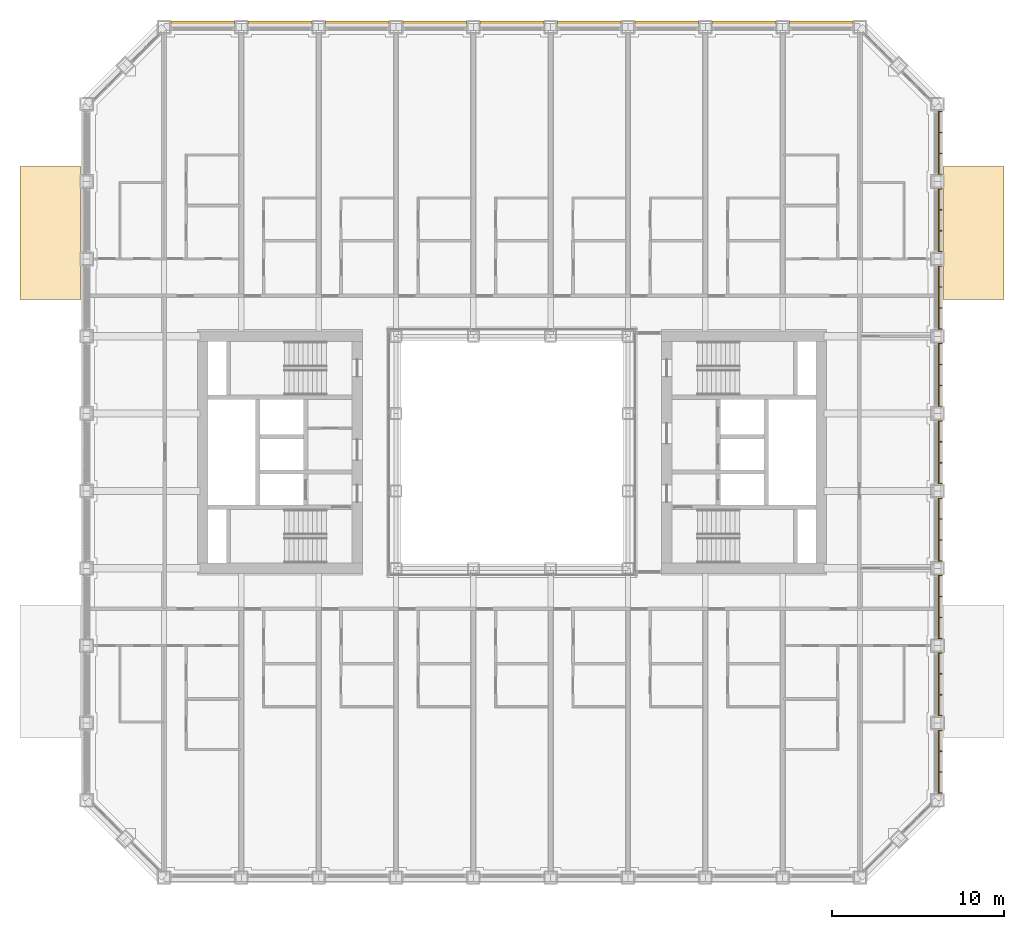
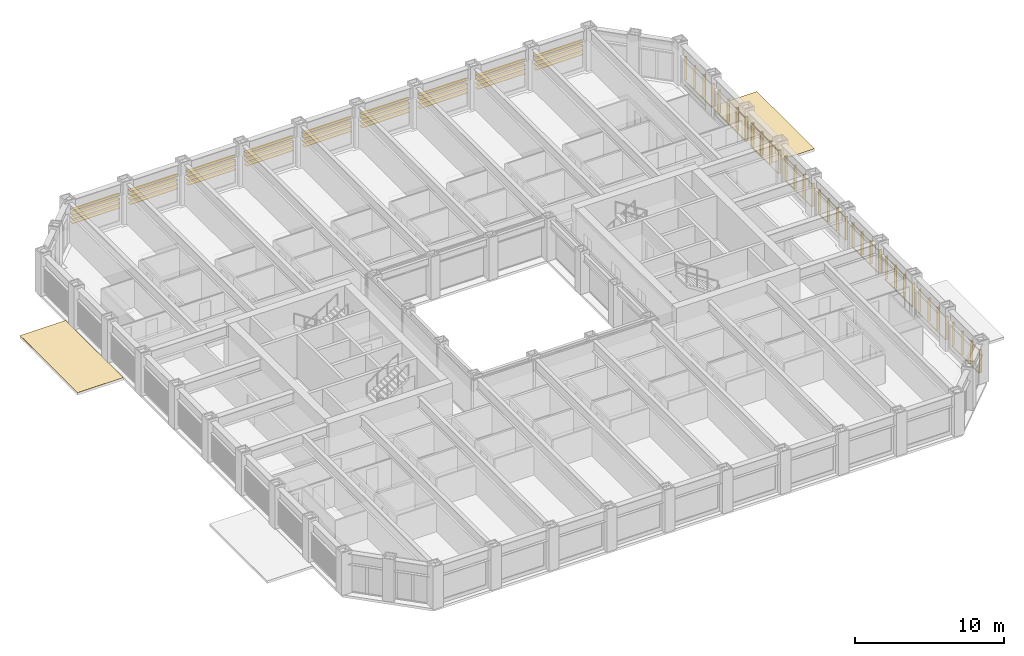
# One storey, part 24 of 24: 2 coverings, 2 shading devices.
"""IFC4 building model written with IfcOpenShell, lengths in metres."""

from ifc_helpers import new_model, si_unit, direction, frame, origin, origin_2d, place, context, subcontext, project, spatial, line, indexed_curve, rectangle, outline, extrude, material, layer, layer_set, type_object, element, save


model = new_model("IFC4")

# Units and contexts
model_context = context("Model", 3, precision=1e-05, world=origin(), true_north=direction((0.0, 1.0)))
body_context = subcontext(model_context, "Body", "Model", "MODEL_VIEW")
ifc_project = project(units=[si_unit("LENGTHUNIT", "METRE"), si_unit("AREAUNIT", "SQUARE_METRE"), si_unit("VOLUMEUNIT", "CUBIC_METRE"), si_unit("PLANEANGLEUNIT", "RADIAN"), si_unit("MASSUNIT", "GRAM", prefix="KILO")], contexts=[model_context])

# Site, building, storey
site_placement = place(None, origin())
site = spatial("IfcSite", under=ifc_project, at=site_placement, CompositionType="ELEMENT")
building_placement = place(site_placement, origin())
building = spatial("IfcBuilding", under=site, at=building_placement, Name="Msasa Ring Tower", CompositionType="ELEMENT")
storey_placement = place(building_placement, frame((0.0, 0.0, 26.5)))
storey = spatial("IfcBuildingStorey", under=building, at=storey_placement, Name="L05", CompositionType="ELEMENT", Elevation=26.5)

# Shading device
ifc_material_1 = material(Name="Extruded terracotta on aluminium carriers", Category="masonry")
shading_device_type_1 = type_object("IfcShadingDeviceType", Name="BS2 TERRACOTTA FIN SCREEN 40x200 AT 1350", PredefinedType="USERDEFINED", material=ifc_material_1)
shading_device_1_placement = place(storey_placement, origin())
element("IfcShadingDevice", 1, at=shading_device_1_placement, inside=storey, type_object=shading_device_type_1, Name="Terracotta fin screen E L05", ObjectType="BAGUETTE", PredefinedType="USERDEFINED", context=body_context, shape_type="SweptSolid", body=[
    extrude(rectangle(XDim=0.06005859375, YDim=0.0400390625, at=origin_2d()), frame((24.830078125, -19.85009765625, 0.330078125), z_axis=(0.0, 1.0, 0.0), x_axis=(0.0, 0.0, 1.0)), (0.0, 0.0, 1.0), 3.699951171875),
    extrude(rectangle(XDim=0.06005859375, YDim=0.0400390625, at=origin_2d()), frame((24.830078125, -19.85009765625, 2.198974609375), z_axis=(0.0, 1.0, 0.0), x_axis=(0.0, 0.0, 1.0)), (0.0, 0.0, 1.0), 3.699951171875),
    extrude(rectangle(XDim=0.0400390625, YDim=0.199951171875, at=origin_2d()), frame((24.945068359375, -19.830078125, 0.300048828125), z_axis=(0.0, 0.0, 1.0), x_axis=(0.0, 1.0, 0.0)), (0.0, 0.0, 1.0), 1.928955078125),
    extrude(rectangle(XDim=0.0400390625, YDim=0.199951171875, at=origin_2d()), frame((24.945068359375, -18.610107421875, 0.300048828125), z_axis=(0.0, 0.0, 1.0), x_axis=(0.0, 1.0, 0.0)), (0.0, 0.0, 1.0), 1.928955078125),
    extrude(rectangle(XDim=0.0400390625, YDim=0.199951171875, at=origin_2d()), frame((24.945068359375, -17.389892578125, 0.300048828125), z_axis=(0.0, 0.0, 1.0), x_axis=(0.0, 1.0, 0.0)), (0.0, 0.0, 1.0), 1.928955078125),
    extrude(rectangle(XDim=0.0400390625, YDim=0.199951171875, at=origin_2d()), frame((24.945068359375, -16.169921875, 0.300048828125), z_axis=(0.0, 0.0, 1.0), x_axis=(0.0, 1.0, 0.0)), (0.0, 0.0, 1.0), 1.928955078125),
    extrude(rectangle(XDim=0.06005859375, YDim=0.0400390625, at=origin_2d()), frame((24.830078125, -15.35009765625, 0.330078125), z_axis=(0.0, 1.0, 0.0), x_axis=(0.0, 0.0, 1.0)), (0.0, 0.0, 1.0), 3.699951171875),
    extrude(rectangle(XDim=0.06005859375, YDim=0.0400390625, at=origin_2d()), frame((24.830078125, -15.35009765625, 2.198974609375), z_axis=(0.0, 1.0, 0.0), x_axis=(0.0, 0.0, 1.0)), (0.0, 0.0, 1.0), 3.699951171875),
    extrude(rectangle(XDim=0.0400390625, YDim=0.199951171875, at=origin_2d()), frame((24.945068359375, -15.330078125, 0.300048828125), z_axis=(0.0, 0.0, 1.0), x_axis=(0.0, 1.0, 0.0)), (0.0, 0.0, 1.0), 1.928955078125),
    extrude(rectangle(XDim=0.0400390625, YDim=0.199951171875, at=origin_2d()), frame((24.945068359375, -14.110107421875, 0.300048828125), z_axis=(0.0, 0.0, 1.0), x_axis=(0.0, 1.0, 0.0)), (0.0, 0.0, 1.0), 1.928955078125),
    extrude(rectangle(XDim=0.0400390625, YDim=0.199951171875, at=origin_2d()), frame((24.945068359375, -12.889892578125, 0.300048828125), z_axis=(0.0, 0.0, 1.0), x_axis=(0.0, 1.0, 0.0)), (0.0, 0.0, 1.0), 1.928955078125),
    extrude(rectangle(XDim=0.0400390625, YDim=0.199951171875, at=origin_2d()), frame((24.945068359375, -11.669921875, 0.300048828125), z_axis=(0.0, 0.0, 1.0), x_axis=(0.0, 1.0, 0.0)), (0.0, 0.0, 1.0), 1.928955078125),
    extrude(rectangle(XDim=0.06005859375, YDim=0.0400390625, at=origin_2d()), frame((24.830078125, -10.85009765625, 0.330078125), z_axis=(0.0, 1.0, 0.0), x_axis=(0.0, 0.0, 1.0)), (0.0, 0.0, 1.0), 3.699951171875),
    extrude(rectangle(XDim=0.06005859375, YDim=0.0400390625, at=origin_2d()), frame((24.830078125, -10.85009765625, 2.198974609375), z_axis=(0.0, 1.0, 0.0), x_axis=(0.0, 0.0, 1.0)), (0.0, 0.0, 1.0), 3.699951171875),
    extrude(rectangle(XDim=0.0400390625, YDim=0.199951171875, at=origin_2d()), frame((24.945068359375, -10.830078125, 0.300048828125), z_axis=(0.0, 0.0, 1.0), x_axis=(0.0, 1.0, 0.0)), (0.0, 0.0, 1.0), 1.928955078125),
    extrude(rectangle(XDim=0.0400390625, YDim=0.199951171875, at=origin_2d()), frame((24.945068359375, -9.610107421875, 0.300048828125), z_axis=(0.0, 0.0, 1.0), x_axis=(0.0, 1.0, 0.0)), (0.0, 0.0, 1.0), 1.928955078125),
    extrude(rectangle(XDim=0.0400390625, YDim=0.199951171875, at=origin_2d()), frame((24.945068359375, -8.389892578125, 0.300048828125), z_axis=(0.0, 0.0, 1.0), x_axis=(0.0, 1.0, 0.0)), (0.0, 0.0, 1.0), 1.928955078125),
    extrude(rectangle(XDim=0.0400390625, YDim=0.199951171875, at=origin_2d()), frame((24.945068359375, -7.169921875, 0.300048828125), z_axis=(0.0, 0.0, 1.0), x_axis=(0.0, 1.0, 0.0)), (0.0, 0.0, 1.0), 1.928955078125),
    extrude(rectangle(XDim=0.06005859375, YDim=0.0400390625, at=origin_2d()), frame((24.830078125, -6.35009765625, 0.330078125), z_axis=(0.0, 1.0, 0.0), x_axis=(0.0, 0.0, 1.0)), (0.0, 0.0, 1.0), 3.699951171875),
    extrude(rectangle(XDim=0.06005859375, YDim=0.0400390625, at=origin_2d()), frame((24.830078125, -6.35009765625, 2.198974609375), z_axis=(0.0, 1.0, 0.0), x_axis=(0.0, 0.0, 1.0)), (0.0, 0.0, 1.0), 3.699951171875),
    extrude(rectangle(XDim=0.0400390625, YDim=0.199951171875, at=origin_2d()), frame((24.945068359375, -6.330078125, 0.300048828125), z_axis=(0.0, 0.0, 1.0), x_axis=(0.0, 1.0, 0.0)), (0.0, 0.0, 1.0), 1.928955078125),
    extrude(rectangle(XDim=0.0400390625, YDim=0.199951171875, at=origin_2d()), frame((24.945068359375, -5.110107421875, 0.300048828125), z_axis=(0.0, 0.0, 1.0), x_axis=(0.0, 1.0, 0.0)), (0.0, 0.0, 1.0), 1.928955078125),
    extrude(rectangle(XDim=0.0400390625, YDim=0.199951171875, at=origin_2d()), frame((24.945068359375, -3.889892578125, 0.300048828125), z_axis=(0.0, 0.0, 1.0), x_axis=(0.0, 1.0, 0.0)), (0.0, 0.0, 1.0), 1.928955078125),
    extrude(rectangle(XDim=0.0400390625, YDim=0.199951171875, at=origin_2d()), frame((24.945068359375, -2.669921875, 0.300048828125), z_axis=(0.0, 0.0, 1.0), x_axis=(0.0, 1.0, 0.0)), (0.0, 0.0, 1.0), 1.928955078125),
    extrude(rectangle(XDim=0.06005859375, YDim=0.0400390625, at=origin_2d()), frame((24.830078125, -1.85009765625, 0.330078125), z_axis=(0.0, 1.0, 0.0), x_axis=(0.0, 0.0, 1.0)), (0.0, 0.0, 1.0), 3.699951171875),
    extrude(rectangle(XDim=0.06005859375, YDim=0.0400390625, at=origin_2d()), frame((24.830078125, -1.85009765625, 2.198974609375), z_axis=(0.0, 1.0, 0.0), x_axis=(0.0, 0.0, 1.0)), (0.0, 0.0, 1.0), 3.699951171875),
    extrude(rectangle(XDim=0.0400390625, YDim=0.199951171875, at=origin_2d()), frame((24.945068359375, -1.830078125, 0.300048828125), z_axis=(0.0, 0.0, 1.0), x_axis=(0.0, 1.0, 0.0)), (0.0, 0.0, 1.0), 1.928955078125),
    extrude(rectangle(XDim=0.0400390625, YDim=0.199951171875, at=origin_2d()), frame((24.945068359375, -0.610107421875, 0.300048828125), z_axis=(0.0, 0.0, 1.0), x_axis=(0.0, 1.0, 0.0)), (0.0, 0.0, 1.0), 1.928955078125),
    extrude(rectangle(XDim=0.0400390625, YDim=0.199951171875, at=origin_2d()), frame((24.945068359375, 0.610107421875, 0.300048828125), z_axis=(0.0, 0.0, 1.0), x_axis=(0.0, 1.0, 0.0)), (0.0, 0.0, 1.0), 1.928955078125),
    extrude(rectangle(XDim=0.0400390625, YDim=0.199951171875, at=origin_2d()), frame((24.945068359375, 1.830078125, 0.300048828125), z_axis=(0.0, 0.0, 1.0), x_axis=(0.0, 1.0, 0.0)), (0.0, 0.0, 1.0), 1.928955078125),
    extrude(rectangle(XDim=0.06005859375, YDim=0.0400390625, at=origin_2d()), frame((24.830078125, 2.64990234375, 0.330078125), z_axis=(0.0, 1.0, 0.0), x_axis=(0.0, 0.0, 1.0)), (0.0, 0.0, 1.0), 3.699951171875),
    extrude(rectangle(XDim=0.06005859375, YDim=0.0400390625, at=origin_2d()), frame((24.830078125, 2.64990234375, 2.198974609375), z_axis=(0.0, 1.0, 0.0), x_axis=(0.0, 0.0, 1.0)), (0.0, 0.0, 1.0), 3.699951171875),
    extrude(rectangle(XDim=0.0400390625, YDim=0.199951171875, at=origin_2d()), frame((24.945068359375, 2.669921875, 0.300048828125), z_axis=(0.0, 0.0, 1.0), x_axis=(0.0, 1.0, 0.0)), (0.0, 0.0, 1.0), 1.928955078125),
    extrude(rectangle(XDim=0.0400390625, YDim=0.199951171875, at=origin_2d()), frame((24.945068359375, 3.889892578125, 0.300048828125), z_axis=(0.0, 0.0, 1.0), x_axis=(0.0, 1.0, 0.0)), (0.0, 0.0, 1.0), 1.928955078125),
    extrude(rectangle(XDim=0.0400390625, YDim=0.199951171875, at=origin_2d()), frame((24.945068359375, 5.110107421875, 0.300048828125), z_axis=(0.0, 0.0, 1.0), x_axis=(0.0, 1.0, 0.0)), (0.0, 0.0, 1.0), 1.928955078125),
    extrude(rectangle(XDim=0.0400390625, YDim=0.199951171875, at=origin_2d()), frame((24.945068359375, 6.330078125, 0.300048828125), z_axis=(0.0, 0.0, 1.0), x_axis=(0.0, 1.0, 0.0)), (0.0, 0.0, 1.0), 1.928955078125),
    extrude(rectangle(XDim=0.06005859375, YDim=0.0400390625, at=origin_2d()), frame((24.830078125, 7.14990234375, 0.330078125), z_axis=(0.0, 1.0, 0.0), x_axis=(0.0, 0.0, 1.0)), (0.0, 0.0, 1.0), 3.699951171875),
    extrude(rectangle(XDim=0.06005859375, YDim=0.0400390625, at=origin_2d()), frame((24.830078125, 7.14990234375, 2.198974609375), z_axis=(0.0, 1.0, 0.0), x_axis=(0.0, 0.0, 1.0)), (0.0, 0.0, 1.0), 3.699951171875),
    extrude(rectangle(XDim=0.0400390625, YDim=0.199951171875, at=origin_2d()), frame((24.945068359375, 7.169921875, 0.300048828125), z_axis=(0.0, 0.0, 1.0), x_axis=(0.0, 1.0, 0.0)), (0.0, 0.0, 1.0), 1.928955078125),
    extrude(rectangle(XDim=0.0400390625, YDim=0.199951171875, at=origin_2d()), frame((24.945068359375, 8.389892578125, 0.300048828125), z_axis=(0.0, 0.0, 1.0), x_axis=(0.0, 1.0, 0.0)), (0.0, 0.0, 1.0), 1.928955078125),
    extrude(rectangle(XDim=0.0400390625, YDim=0.199951171875, at=origin_2d()), frame((24.945068359375, 9.610107421875, 0.300048828125), z_axis=(0.0, 0.0, 1.0), x_axis=(0.0, 1.0, 0.0)), (0.0, 0.0, 1.0), 1.928955078125),
    extrude(rectangle(XDim=0.0400390625, YDim=0.199951171875, at=origin_2d()), frame((24.945068359375, 10.830078125, 0.300048828125), z_axis=(0.0, 0.0, 1.0), x_axis=(0.0, 1.0, 0.0)), (0.0, 0.0, 1.0), 1.928955078125),
    extrude(rectangle(XDim=0.06005859375, YDim=0.0400390625, at=origin_2d()), frame((24.830078125, 11.64990234375, 0.330078125), z_axis=(0.0, 1.0, 0.0), x_axis=(0.0, 0.0, 1.0)), (0.0, 0.0, 1.0), 3.699951171875),
    extrude(rectangle(XDim=0.06005859375, YDim=0.0400390625, at=origin_2d()), frame((24.830078125, 11.64990234375, 2.198974609375), z_axis=(0.0, 1.0, 0.0), x_axis=(0.0, 0.0, 1.0)), (0.0, 0.0, 1.0), 3.699951171875),
    extrude(rectangle(XDim=0.0400390625, YDim=0.199951171875, at=origin_2d()), frame((24.945068359375, 11.669921875, 0.300048828125), z_axis=(0.0, 0.0, 1.0), x_axis=(0.0, 1.0, 0.0)), (0.0, 0.0, 1.0), 1.928955078125),
    extrude(rectangle(XDim=0.0400390625, YDim=0.199951171875, at=origin_2d()), frame((24.945068359375, 12.889892578125, 0.300048828125), z_axis=(0.0, 0.0, 1.0), x_axis=(0.0, 1.0, 0.0)), (0.0, 0.0, 1.0), 1.928955078125),
    extrude(rectangle(XDim=0.0400390625, YDim=0.199951171875, at=origin_2d()), frame((24.945068359375, 14.110107421875, 0.300048828125), z_axis=(0.0, 0.0, 1.0), x_axis=(0.0, 1.0, 0.0)), (0.0, 0.0, 1.0), 1.928955078125),
    extrude(rectangle(XDim=0.0400390625, YDim=0.199951171875, at=origin_2d()), frame((24.945068359375, 15.330078125, 0.300048828125), z_axis=(0.0, 0.0, 1.0), x_axis=(0.0, 1.0, 0.0)), (0.0, 0.0, 1.0), 1.928955078125),
    extrude(rectangle(XDim=0.06005859375, YDim=0.0400390625, at=origin_2d()), frame((24.830078125, 16.14990234375, 0.330078125), z_axis=(0.0, 1.0, 0.0), x_axis=(0.0, 0.0, 1.0)), (0.0, 0.0, 1.0), 3.699951171875),
    extrude(rectangle(XDim=0.06005859375, YDim=0.0400390625, at=origin_2d()), frame((24.830078125, 16.14990234375, 2.198974609375), z_axis=(0.0, 1.0, 0.0), x_axis=(0.0, 0.0, 1.0)), (0.0, 0.0, 1.0), 3.699951171875),
    extrude(rectangle(XDim=0.0400390625, YDim=0.199951171875, at=origin_2d()), frame((24.945068359375, 16.169921875, 0.300048828125), z_axis=(0.0, 0.0, 1.0), x_axis=(0.0, 1.0, 0.0)), (0.0, 0.0, 1.0), 1.928955078125),
    extrude(rectangle(XDim=0.0400390625, YDim=0.199951171875, at=origin_2d()), frame((24.945068359375, 17.389892578125, 0.300048828125), z_axis=(0.0, 0.0, 1.0), x_axis=(0.0, 1.0, 0.0)), (0.0, 0.0, 1.0), 1.928955078125),
    extrude(rectangle(XDim=0.0400390625, YDim=0.199951171875, at=origin_2d()), frame((24.945068359375, 18.610107421875, 0.300048828125), z_axis=(0.0, 0.0, 1.0), x_axis=(0.0, 1.0, 0.0)), (0.0, 0.0, 1.0), 1.928955078125),
    extrude(rectangle(XDim=0.0400390625, YDim=0.199951171875, at=origin_2d()), frame((24.945068359375, 19.830078125, 0.300048828125), z_axis=(0.0, 0.0, 1.0), x_axis=(0.0, 1.0, 0.0)), (0.0, 0.0, 1.0), 1.928955078125),
])

# Coverings
ifc_material_2 = material(Name="Liquid-applied polyurethane roof membrane", Category="polyurethane")
ifc_layer = layer(ifc_material_2, 0.0048828125)
ifc_layer_set = layer_set([ifc_layer], Name="RF2 LIQUID-APPLIED MEMBRANE ROOF COVERING 5")
covering_type = type_object("IfcCoveringType", Name="RF2 LIQUID-APPLIED MEMBRANE ROOF COVERING 5", PredefinedType="ROOFING", material=ifc_layer_set)
covering_1_placement = place(storey_placement, origin())
element("IfcCovering", 2, at=covering_1_placement, inside=storey, type_object=covering_type, Name="Roof covering on stair head-house roof pen", PredefinedType="ROOFING", context=body_context, shape_type="SweptSolid", body=[
    extrude(outline(indexed_curve([(25.075439453125, 8.87548828125), (25.075439453125, 16.62451171875), (28.62451171875, 16.62451171875), (28.62451171875, 8.87548828125)], segments=[line(1, 2, 3, 4, 1)], self_intersect=False)), origin(), (0.0, 0.0, 1.0), 0.0048828125),
])
covering_2_placement = place(storey_placement, origin())
element("IfcCovering", 3, at=covering_2_placement, inside=storey, type_object=covering_type, Name="Roof covering on stair head-house roof pwn", PredefinedType="ROOFING", context=body_context, shape_type="SweptSolid", body=[
    extrude(outline(indexed_curve([(-28.62451171875, 8.87548828125), (-28.62451171875, 16.62451171875), (-25.075439453125, 16.62451171875), (-25.075439453125, 8.87548828125)], segments=[line(1, 2, 3, 4, 1)], self_intersect=False)), origin(), (0.0, 0.0, 1.0), 0.0048828125),
])

# Shading device
ifc_material_3 = material(Name="Extruded terracotta blades", Category="masonry")
shading_device_type_2 = type_object("IfcShadingDeviceType", Name="SS1 TERRACOTTA SUNSHADE 4 BLADES 300x40 AT 350", PredefinedType="USERDEFINED", material=ifc_material_3)
shading_device_2_placement = place(storey_placement, origin())
element("IfcShadingDevice", 4, at=shading_device_2_placement, inside=storey, type_object=shading_device_type_2, Name="Terracotta sunshade N L05", ObjectType="SUNSHADE", PredefinedType="USERDEFINED", context=body_context, shape_type="SweptSolid", body=[
    extrude(rectangle(XDim=0.0400390625, YDim=0.300048828125, at=origin_2d()), frame((-19.85009765625, 24.929931640625, 2.208984375), z_axis=(1.0, 0.0, 0.0), x_axis=(0.0, 0.0, 1.0)), (0.0, 0.0, 1.0), 3.699951171875),
    extrude(rectangle(XDim=0.0400390625, YDim=0.300048828125, at=origin_2d()), frame((-19.85009765625, 24.929931640625, 1.85888671875), z_axis=(1.0, 0.0, 0.0), x_axis=(0.0, 0.0, 1.0)), (0.0, 0.0, 1.0), 3.699951171875),
    extrude(rectangle(XDim=0.0400390625, YDim=0.300048828125, at=origin_2d()), frame((-19.85009765625, 24.929931640625, 1.509033203125), z_axis=(1.0, 0.0, 0.0), x_axis=(0.0, 0.0, 1.0)), (0.0, 0.0, 1.0), 3.699951171875),
    extrude(rectangle(XDim=0.0400390625, YDim=0.300048828125, at=origin_2d()), frame((-19.85009765625, 24.929931640625, 1.158935546875), z_axis=(1.0, 0.0, 0.0), x_axis=(0.0, 0.0, 1.0)), (0.0, 0.0, 1.0), 3.699951171875),
    extrude(rectangle(XDim=0.0400390625, YDim=0.300048828125, at=origin_2d()), frame((-15.35009765625, 24.929931640625, 2.208984375), z_axis=(1.0, 0.0, 0.0), x_axis=(0.0, 0.0, 1.0)), (0.0, 0.0, 1.0), 3.699951171875),
    extrude(rectangle(XDim=0.0400390625, YDim=0.300048828125, at=origin_2d()), frame((-15.35009765625, 24.929931640625, 1.85888671875), z_axis=(1.0, 0.0, 0.0), x_axis=(0.0, 0.0, 1.0)), (0.0, 0.0, 1.0), 3.699951171875),
    extrude(rectangle(XDim=0.0400390625, YDim=0.300048828125, at=origin_2d()), frame((-15.35009765625, 24.929931640625, 1.509033203125), z_axis=(1.0, 0.0, 0.0), x_axis=(0.0, 0.0, 1.0)), (0.0, 0.0, 1.0), 3.699951171875),
    extrude(rectangle(XDim=0.0400390625, YDim=0.300048828125, at=origin_2d()), frame((-15.35009765625, 24.929931640625, 1.158935546875), z_axis=(1.0, 0.0, 0.0), x_axis=(0.0, 0.0, 1.0)), (0.0, 0.0, 1.0), 3.699951171875),
    extrude(rectangle(XDim=0.0400390625, YDim=0.300048828125, at=origin_2d()), frame((-10.85009765625, 24.929931640625, 2.208984375), z_axis=(1.0, 0.0, 0.0), x_axis=(0.0, 0.0, 1.0)), (0.0, 0.0, 1.0), 3.699951171875),
    extrude(rectangle(XDim=0.0400390625, YDim=0.300048828125, at=origin_2d()), frame((-10.85009765625, 24.929931640625, 1.85888671875), z_axis=(1.0, 0.0, 0.0), x_axis=(0.0, 0.0, 1.0)), (0.0, 0.0, 1.0), 3.699951171875),
    extrude(rectangle(XDim=0.0400390625, YDim=0.300048828125, at=origin_2d()), frame((-10.85009765625, 24.929931640625, 1.509033203125), z_axis=(1.0, 0.0, 0.0), x_axis=(0.0, 0.0, 1.0)), (0.0, 0.0, 1.0), 3.699951171875),
    extrude(rectangle(XDim=0.0400390625, YDim=0.300048828125, at=origin_2d()), frame((-10.85009765625, 24.929931640625, 1.158935546875), z_axis=(1.0, 0.0, 0.0), x_axis=(0.0, 0.0, 1.0)), (0.0, 0.0, 1.0), 3.699951171875),
    extrude(rectangle(XDim=0.0400390625, YDim=0.300048828125, at=origin_2d()), frame((-6.35009765625, 24.929931640625, 2.208984375), z_axis=(1.0, 0.0, 0.0), x_axis=(0.0, 0.0, 1.0)), (0.0, 0.0, 1.0), 3.699951171875),
    extrude(rectangle(XDim=0.0400390625, YDim=0.300048828125, at=origin_2d()), frame((-6.35009765625, 24.929931640625, 1.85888671875), z_axis=(1.0, 0.0, 0.0), x_axis=(0.0, 0.0, 1.0)), (0.0, 0.0, 1.0), 3.699951171875),
    extrude(rectangle(XDim=0.0400390625, YDim=0.300048828125, at=origin_2d()), frame((-6.35009765625, 24.929931640625, 1.509033203125), z_axis=(1.0, 0.0, 0.0), x_axis=(0.0, 0.0, 1.0)), (0.0, 0.0, 1.0), 3.699951171875),
    extrude(rectangle(XDim=0.0400390625, YDim=0.300048828125, at=origin_2d()), frame((-6.35009765625, 24.929931640625, 1.158935546875), z_axis=(1.0, 0.0, 0.0), x_axis=(0.0, 0.0, 1.0)), (0.0, 0.0, 1.0), 3.699951171875),
    extrude(rectangle(XDim=0.0400390625, YDim=0.300048828125, at=origin_2d()), frame((-1.85009765625, 24.929931640625, 2.208984375), z_axis=(1.0, 0.0, 0.0), x_axis=(0.0, 0.0, 1.0)), (0.0, 0.0, 1.0), 3.699951171875),
    extrude(rectangle(XDim=0.0400390625, YDim=0.300048828125, at=origin_2d()), frame((-1.85009765625, 24.929931640625, 1.85888671875), z_axis=(1.0, 0.0, 0.0), x_axis=(0.0, 0.0, 1.0)), (0.0, 0.0, 1.0), 3.699951171875),
    extrude(rectangle(XDim=0.0400390625, YDim=0.300048828125, at=origin_2d()), frame((-1.85009765625, 24.929931640625, 1.509033203125), z_axis=(1.0, 0.0, 0.0), x_axis=(0.0, 0.0, 1.0)), (0.0, 0.0, 1.0), 3.699951171875),
    extrude(rectangle(XDim=0.0400390625, YDim=0.300048828125, at=origin_2d()), frame((-1.85009765625, 24.929931640625, 1.158935546875), z_axis=(1.0, 0.0, 0.0), x_axis=(0.0, 0.0, 1.0)), (0.0, 0.0, 1.0), 3.699951171875),
    extrude(rectangle(XDim=0.0400390625, YDim=0.300048828125, at=origin_2d()), frame((2.64990234375, 24.929931640625, 2.208984375), z_axis=(1.0, 0.0, 0.0), x_axis=(0.0, 0.0, 1.0)), (0.0, 0.0, 1.0), 3.699951171875),
    extrude(rectangle(XDim=0.0400390625, YDim=0.300048828125, at=origin_2d()), frame((2.64990234375, 24.929931640625, 1.85888671875), z_axis=(1.0, 0.0, 0.0), x_axis=(0.0, 0.0, 1.0)), (0.0, 0.0, 1.0), 3.699951171875),
    extrude(rectangle(XDim=0.0400390625, YDim=0.300048828125, at=origin_2d()), frame((2.64990234375, 24.929931640625, 1.509033203125), z_axis=(1.0, 0.0, 0.0), x_axis=(0.0, 0.0, 1.0)), (0.0, 0.0, 1.0), 3.699951171875),
    extrude(rectangle(XDim=0.0400390625, YDim=0.300048828125, at=origin_2d()), frame((2.64990234375, 24.929931640625, 1.158935546875), z_axis=(1.0, 0.0, 0.0), x_axis=(0.0, 0.0, 1.0)), (0.0, 0.0, 1.0), 3.699951171875),
    extrude(rectangle(XDim=0.0400390625, YDim=0.300048828125, at=origin_2d()), frame((7.14990234375, 24.929931640625, 2.208984375), z_axis=(1.0, 0.0, 0.0), x_axis=(0.0, 0.0, 1.0)), (0.0, 0.0, 1.0), 3.699951171875),
    extrude(rectangle(XDim=0.0400390625, YDim=0.300048828125, at=origin_2d()), frame((7.14990234375, 24.929931640625, 1.85888671875), z_axis=(1.0, 0.0, 0.0), x_axis=(0.0, 0.0, 1.0)), (0.0, 0.0, 1.0), 3.699951171875),
    extrude(rectangle(XDim=0.0400390625, YDim=0.300048828125, at=origin_2d()), frame((7.14990234375, 24.929931640625, 1.509033203125), z_axis=(1.0, 0.0, 0.0), x_axis=(0.0, 0.0, 1.0)), (0.0, 0.0, 1.0), 3.699951171875),
    extrude(rectangle(XDim=0.0400390625, YDim=0.300048828125, at=origin_2d()), frame((7.14990234375, 24.929931640625, 1.158935546875), z_axis=(1.0, 0.0, 0.0), x_axis=(0.0, 0.0, 1.0)), (0.0, 0.0, 1.0), 3.699951171875),
    extrude(rectangle(XDim=0.0400390625, YDim=0.300048828125, at=origin_2d()), frame((11.64990234375, 24.929931640625, 2.208984375), z_axis=(1.0, 0.0, 0.0), x_axis=(0.0, 0.0, 1.0)), (0.0, 0.0, 1.0), 3.699951171875),
    extrude(rectangle(XDim=0.0400390625, YDim=0.300048828125, at=origin_2d()), frame((11.64990234375, 24.929931640625, 1.85888671875), z_axis=(1.0, 0.0, 0.0), x_axis=(0.0, 0.0, 1.0)), (0.0, 0.0, 1.0), 3.699951171875),
    extrude(rectangle(XDim=0.0400390625, YDim=0.300048828125, at=origin_2d()), frame((11.64990234375, 24.929931640625, 1.509033203125), z_axis=(1.0, 0.0, 0.0), x_axis=(0.0, 0.0, 1.0)), (0.0, 0.0, 1.0), 3.699951171875),
    extrude(rectangle(XDim=0.0400390625, YDim=0.300048828125, at=origin_2d()), frame((11.64990234375, 24.929931640625, 1.158935546875), z_axis=(1.0, 0.0, 0.0), x_axis=(0.0, 0.0, 1.0)), (0.0, 0.0, 1.0), 3.699951171875),
    extrude(rectangle(XDim=0.0400390625, YDim=0.300048828125, at=origin_2d()), frame((16.14990234375, 24.929931640625, 2.208984375), z_axis=(1.0, 0.0, 0.0), x_axis=(0.0, 0.0, 1.0)), (0.0, 0.0, 1.0), 3.699951171875),
    extrude(rectangle(XDim=0.0400390625, YDim=0.300048828125, at=origin_2d()), frame((16.14990234375, 24.929931640625, 1.85888671875), z_axis=(1.0, 0.0, 0.0), x_axis=(0.0, 0.0, 1.0)), (0.0, 0.0, 1.0), 3.699951171875),
    extrude(rectangle(XDim=0.0400390625, YDim=0.300048828125, at=origin_2d()), frame((16.14990234375, 24.929931640625, 1.509033203125), z_axis=(1.0, 0.0, 0.0), x_axis=(0.0, 0.0, 1.0)), (0.0, 0.0, 1.0), 3.699951171875),
    extrude(rectangle(XDim=0.0400390625, YDim=0.300048828125, at=origin_2d()), frame((16.14990234375, 24.929931640625, 1.158935546875), z_axis=(1.0, 0.0, 0.0), x_axis=(0.0, 0.0, 1.0)), (0.0, 0.0, 1.0), 3.699951171875),
])

save(model, "model.ifc")
